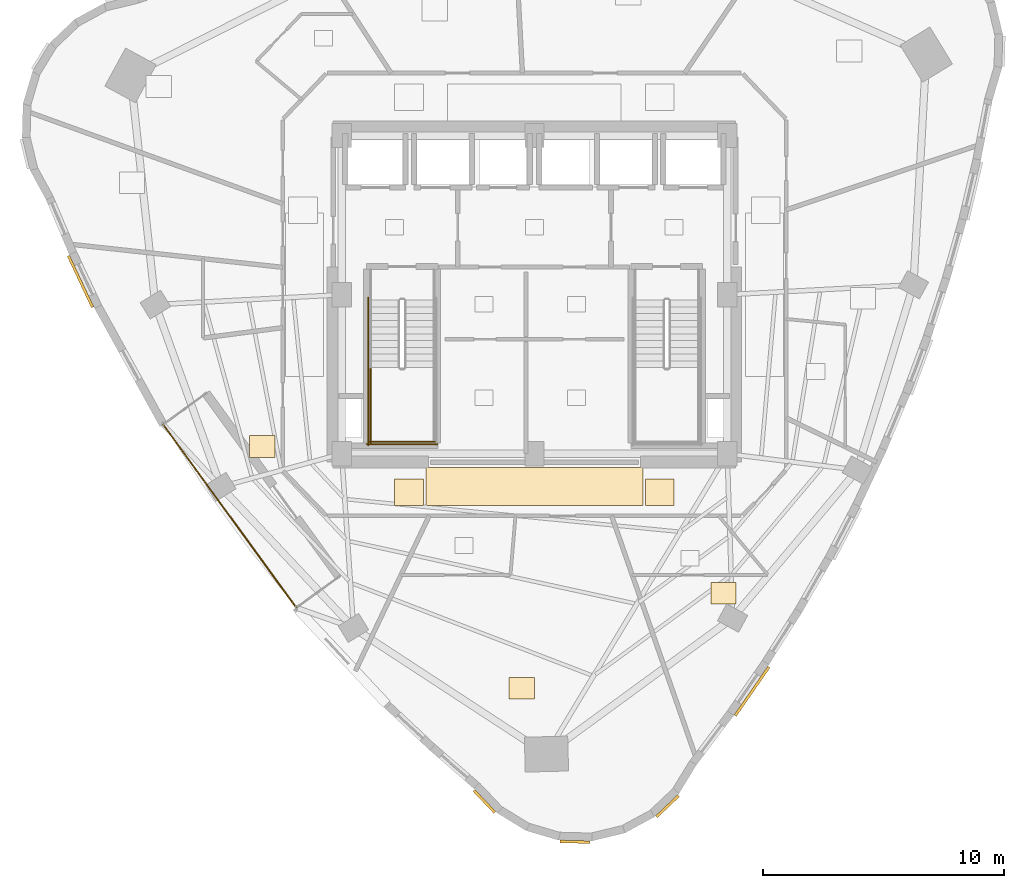
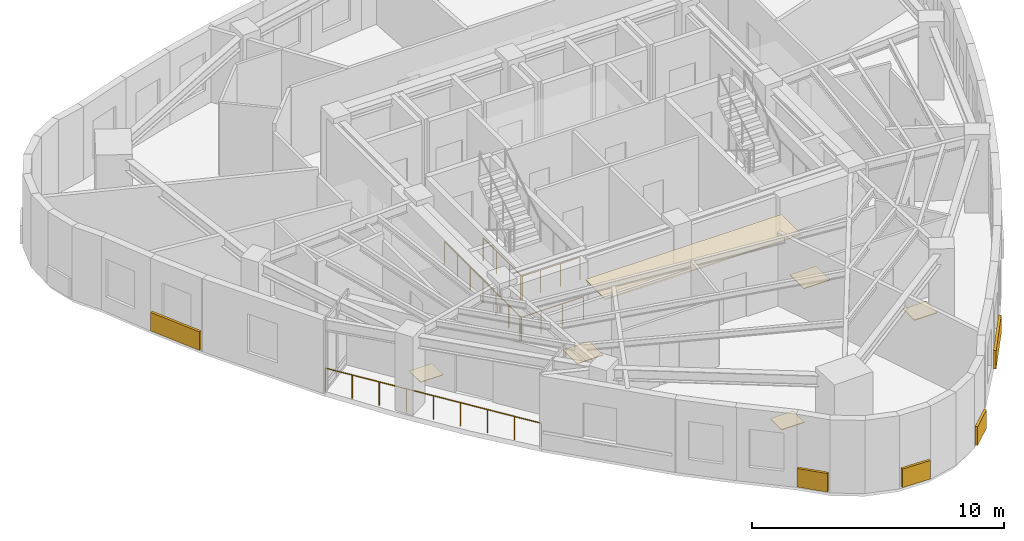
# One storey, part 10 of 12: 11 coverings, 5 railings.
"""IFC4 building model written with IfcOpenShell, lengths in metres."""

from ifc_helpers import new_model, si_unit, direction, frame, origin, origin_2d, place, context, subcontext, project, spatial, rectangle, circle, extrude, material, layer, layer_set, type_object, element, save


model = new_model("IFC4")

# Units and contexts
model_context = context("Model", 3, precision=1e-05, world=origin(), true_north=direction((0.0, 1.0)))
body_context = subcontext(model_context, "Body", "Model", "MODEL_VIEW")
ifc_project = project(units=[si_unit("LENGTHUNIT", "METRE"), si_unit("AREAUNIT", "SQUARE_METRE"), si_unit("VOLUMEUNIT", "CUBIC_METRE"), si_unit("PLANEANGLEUNIT", "RADIAN"), si_unit("MASSUNIT", "GRAM", prefix="KILO")], contexts=[model_context])

# Site, building, storey
site_placement = place(None, origin())
site = spatial("IfcSite", under=ifc_project, at=site_placement, CompositionType="ELEMENT")
building_placement = place(site_placement, origin())
building = spatial("IfcBuilding", under=site, at=building_placement, Name="Ndelora Gate Hotel", CompositionType="ELEMENT")
storey_placement = place(building_placement, frame((0.0, 0.0, 232.14990234375)))
storey = spatial("IfcBuildingStorey", under=building, at=storey_placement, Name="L58", CompositionType="ELEMENT", Elevation=232.14990234375)

# Coverings
ifc_material_1 = material(Name="Perforated Acoustic Gypsum Board", Category="gypsum")
ifc_layer_1 = layer(ifc_material_1, 0.054931640625)
ifc_layer_set_1 = layer_set([ifc_layer_1], Name="Perforated Acoustic Gypsum Board")
covering_type_1 = type_object("IfcCoveringType", Name="COV-CEIL-AC60", PredefinedType="CEILING", material=ifc_layer_set_1)
covering_1_placement = place(storey_placement, frame((0.0, -7.9599609375, 2.65283203125), z_axis=(0.0, 0.0, 1.0), x_axis=(1.0, 0.0, 0.0)))
element("IfcCovering", 1, at=covering_1_placement, inside=storey, type_object=covering_type_1, Name="L58 Guest Corridor Acoustic Ceiling S", PredefinedType="CEILING", context=body_context, shape_type="SweptSolid", body=[
    extrude(rectangle(XDim=9.0, YDim=1.580078125, at=origin_2d()), origin(), (0.0, 0.0, 1.0), 0.054931640625),
])
ifc_material_2 = material(Name="Terracotta Fired Clay Brick Slip Cladding", Category="masonry")
ifc_layer_2 = layer(ifc_material_2, 0.110107421875)
ifc_layer_set_2 = layer_set([ifc_layer_2], Name="Terracotta Fired Clay Brick Slip Cladding")
covering_type_2 = type_object("IfcCoveringType", Name="COV-CLAD-BRK", PredefinedType="CLADDING", material=ifc_layer_set_2)
covering_2_placement = place(storey_placement, frame((-18.83642578125, 0.544189453125, 0.10009765625), z_axis=(0.0, 0.0, 1.0), x_axis=(-0.425305466885, 0.90504986594, 0.0)))
element("IfcCovering", 2, at=covering_2_placement, inside=storey, type_object=covering_type_2, Name="L58 Rounded-Corner Brick Cladding Band 10", PredefinedType="CLADDING", context=body_context, shape_type="SweptSolid", body=[
    extrude(rectangle(XDim=2.35888671875, YDim=0.110107421875, at=origin_2d()), origin(), (0.0, 0.0, 1.0), 0.89990234375),
])
for number, where, z_axis, x_axis, name in (
    (3, (-2.076416015625, -21.031982421875, 0.10009765625), (0.0, 0.0, 1.0), (-0.688354575694, 0.725374371012, 0.0), "L58 Rounded-Corner Brick Cladding Band 19"),
    (4, (1.68115234375, -22.705078125, 0.10009765625), (0.0, 0.0, 1.0), (-0.999657324976, 0.026176948308, 0.0), "L58 Rounded-Corner Brick Cladding Band 22"),
    (5, (5.52099609375, -21.23095703125, 0.10009765625), (0.0, 0.0, 1.0), (0.725374371012, 0.688354575694, 0.0), "L58 Rounded-Corner Brick Cladding Band 25"),
):
    element("IfcCovering", number, at=place(storey_placement, frame(where, z_axis=z_axis, x_axis=x_axis)), inside=storey, type_object=covering_type_2, Name=name, PredefinedType="CLADDING", context=body_context, shape_type="SweptSolid", body=[
        extrude(rectangle(XDim=1.257080078125, YDim=0.110107421875, at=origin_2d()), origin(), (0.0, 0.0, 1.0), 0.89990234375),
    ])
covering_3_placement = place(storey_placement, frame((9.033935546875, -16.457763671875, 0.10009765625), z_axis=(0.0, 0.0, 1.0), x_axis=(0.569136023557, 0.822243386529, 0.0)))
element("IfcCovering", 6, at=covering_3_placement, inside=storey, type_object=covering_type_2, Name="L58 Rounded-Corner Brick Cladding Band 28", PredefinedType="CLADDING", context=body_context, shape_type="SweptSolid", body=[
    extrude(rectangle(XDim=2.4599609375, YDim=0.110107421875, at=origin_2d()), origin(), (0.0, 0.0, 1.0), 0.89990234375),
])
ifc_material_3 = material(Name="Engineered Highland Oak Parquet", Category="wood")
ifc_layer_3 = layer(ifc_material_3, 0.030029296875)
ifc_layer_set_3 = layer_set([ifc_layer_3], Name="Engineered Highland Oak Parquet")
covering_type_3 = type_object("IfcCoveringType", Name="COV-FLR-PARQ", PredefinedType="FLOORING", material=ifc_layer_set_3)
for number, where, z_axis, x_axis, name in (
    (7, (-11.2958984375, -6.302734375, 0.0), (0.0, 0.0, 1.0), (1.0, 0.0, 0.0), "L58 Sky Garden Tea Dining Room Oak Parquet Flooring"),
    (8, (-0.522216796875, -16.328369140625, 0.0), (0.0, 0.0, 1.0), (1.0, 0.0, 0.0), "L58 Highland Executive Two-Bay Suite 6101 Oak Parquet Flooring"),
    (9, (7.846435546875, -12.3916015625, 0.0), (0.0, 0.0, 1.0), (1.0, 0.0, 0.0), "L58 Corner Panoramic Executive Suite 6102 Oak Parquet Flooring"),
):
    element("IfcCovering", number, at=place(storey_placement, frame(where, z_axis=z_axis, x_axis=x_axis)), inside=storey, type_object=covering_type_3, Name=name, PredefinedType="FLOORING", context=body_context, shape_type="SweptSolid", body=[
        extrude(rectangle(XDim=1.050048828125, YDim=0.89990234375, at=origin_2d()), origin(), (0.0, 0.0, 1.0), 0.030029296875),
    ])
ifc_material_4 = material(Name="Polished Highland Stone Terrazzo", Category="masonry")
ifc_layer_4 = layer(ifc_material_4, 0.034912109375)
ifc_layer_set_4 = layer_set([ifc_layer_4], Name="Polished Highland Stone Terrazzo")
covering_type_4 = type_object("IfcCoveringType", Name="COV-FLR-TERZ", PredefinedType="FLOORING", material=ifc_layer_set_4)
for number, where, z_axis, x_axis, name in (
    (10, (-5.199951171875, -8.199951171875, 0.0), (0.0, 0.0, 1.0), (1.0, 0.0, 0.0), "L58 Corridor Threshold Terrazzo Inlay SW"),
    (11, (5.199951171875, -8.199951171875, 0.0), (0.0, 0.0, 1.0), (1.0, 0.0, 0.0), "L58 Corridor Threshold Terrazzo Inlay SE"),
):
    element("IfcCovering", number, at=place(storey_placement, frame(where, z_axis=z_axis, x_axis=x_axis)), inside=storey, type_object=covering_type_4, Name=name, PredefinedType="FLOORING", context=body_context, shape_type="SweptSolid", body=[
        extrude(rectangle(XDim=1.199951171875, YDim=1.10009765625, at=origin_2d()), origin(), (0.0, 0.0, 1.0), 0.034912109375),
    ])

# Railings
ifc_material_5 = material(Name="Laminated Safety Glass and Bronze Top Rail", Category="glass")
ifc_layer_5 = layer(ifc_material_5, 0.070068359375)
ifc_layer_set_5 = layer_set([ifc_layer_5], Name="Laminated Safety Glass and Bronze Top Rail")
railing_type_1 = type_object("IfcRailingType", Name="RL-BAL-1150", PredefinedType="BALUSTRADE", material=ifc_layer_set_5)
railing_1_placement = place(storey_placement, frame((-15.407470703125, -5.384521484375, 0.0)))
element("IfcRailing", 12, at=railing_1_placement, inside=storey, type_object=railing_type_1, Name="L58 Sky-Garden Loggia Terrace Balustrade", PredefinedType="BALUSTRADE", context=body_context, shape_type="SweptSolid", body=[
    extrude(circle(Radius=0.02392578125, at=origin_2d()), frame((0.0, 0.0, 1.1357421875), z_axis=(0.587771657404, -0.809026871465, 0.0), x_axis=(0.809026871465, 0.587771657404, 0.0)), (0.0, 0.0, 1.0), 9.400146484375),
    extrude(circle(Radius=0.02099609375, at=origin_2d()), origin(), (0.0, 0.0, 1.0), 1.11181640625),
    extrude(circle(Radius=0.02099609375, at=origin_2d()), frame((0.690673828125, -0.95068359375, 0.0)), (0.0, 0.0, 1.0), 1.11181640625),
    extrude(circle(Radius=0.02099609375, at=origin_2d()), frame((1.38134765625, -1.9013671875, 0.0)), (0.0, 0.0, 1.0), 1.11181640625),
    extrude(circle(Radius=0.02099609375, at=origin_2d()), frame((2.072021484375, -2.851806640625, 0.0)), (0.0, 0.0, 1.0), 1.11181640625),
    extrude(circle(Radius=0.02099609375, at=origin_2d()), frame((2.7626953125, -3.802490234375, 0.0)), (0.0, 0.0, 1.0), 1.11181640625),
    extrude(circle(Radius=0.02099609375, at=origin_2d()), frame((3.453125, -4.753173828125, 0.0)), (0.0, 0.0, 1.0), 1.11181640625),
    extrude(circle(Radius=0.02099609375, at=origin_2d()), frame((4.143798828125, -5.70361328125, 0.0)), (0.0, 0.0, 1.0), 1.11181640625),
    extrude(circle(Radius=0.02099609375, at=origin_2d()), frame((4.83447265625, -6.654296875, 0.0)), (0.0, 0.0, 1.0), 1.11181640625),
    extrude(circle(Radius=0.02099609375, at=origin_2d()), frame((5.525146484375, -7.60498046875, 0.0)), (0.0, 0.0, 1.0), 1.11181640625),
])
ifc_material_6 = material(Name="Painted Galvanized Steel Balustrade", Category="steel")
ifc_layer_6 = layer(ifc_material_6, 0.06005859375)
ifc_layer_set_6 = layer_set([ifc_layer_6], Name="Painted Galvanized Steel Balustrade")
railing_type_2 = type_object("IfcRailingType", Name="RL-STAIR-GD", PredefinedType="GUARDRAIL", material=ifc_layer_set_6)
railing_2_placement = place(storey_placement, frame((-6.800048828125, -3.030029296875, 1.900146484375)))
element("IfcRailing", 13, at=railing_2_placement, inside=storey, type_object=railing_type_2, Name="L58 ST4 stair guard 3", PredefinedType="GUARDRAIL", context=body_context, shape_type="SweptSolid", body=[
    extrude(circle(Radius=0.02392578125, at=origin_2d()), frame((0.0, 0.0, 1.10595703125), z_axis=(0.0, -1.0, 0.0), x_axis=(1.0, 0.0, 0.0)), (0.0, 0.0, 1.0), 3.119873046875),
    extrude(circle(Radius=0.02099609375, at=origin_2d()), origin(), (0.0, 0.0, 1.0), 1.081787109375),
    extrude(circle(Radius=0.02099609375, at=origin_2d()), frame((0.0, -1.0400390625, 0.0)), (0.0, 0.0, 1.0), 1.081787109375),
    extrude(circle(Radius=0.02099609375, at=origin_2d()), frame((0.0, -2.079833984375, 0.0)), (0.0, 0.0, 1.0), 1.081787109375),
    extrude(circle(Radius=0.02099609375, at=origin_2d()), frame((0.0, -3.119873046875, 0.0)), (0.0, 0.0, 1.0), 1.081787109375),
])
railing_3_placement = place(storey_placement, frame((-6.85009765625, -6.10009765625, 1.900146484375)))
element("IfcRailing", 14, at=railing_3_placement, inside=storey, type_object=railing_type_2, Name="L58 ST4 stair guard 5", PredefinedType="GUARDRAIL", context=body_context, shape_type="SweptSolid", body=[
    extrude(circle(Radius=0.02392578125, at=origin_2d()), frame((0.0, 0.0, 1.10595703125), z_axis=(1.0, 0.0, 0.0), x_axis=(0.0, 1.0, 0.0)), (0.0, 0.0, 1.0), 2.72021484375),
    extrude(circle(Radius=0.02099609375, at=origin_2d()), origin(), (0.0, 0.0, 1.0), 1.081787109375),
    extrude(circle(Radius=0.02099609375, at=origin_2d()), frame((0.90673828125, 0.0, 0.0)), (0.0, 0.0, 1.0), 1.081787109375),
    extrude(circle(Radius=0.02099609375, at=origin_2d()), frame((1.8134765625, 0.0, 0.0)), (0.0, 0.0, 1.0), 1.081787109375),
    extrude(circle(Radius=0.02099609375, at=origin_2d()), frame((2.72021484375, 0.0, 0.0)), (0.0, 0.0, 1.0), 1.081787109375),
])
railing_4_placement = place(storey_placement, frame((-6.89990234375, -0.1298828125, 0.0)))
element("IfcRailing", 15, at=railing_4_placement, inside=storey, type_object=railing_type_2, Name="L58 ST4 stair guard 10", PredefinedType="GUARDRAIL", context=body_context, shape_type="SweptSolid", body=[
    extrude(circle(Radius=0.02392578125, at=origin_2d()), frame((0.0, 0.0, 1.10595703125), z_axis=(0.0, -1.0, 0.0), x_axis=(1.0, 0.0, 0.0)), (0.0, 0.0, 1.0), 6.1201171875),
    extrude(circle(Radius=0.02099609375, at=origin_2d()), origin(), (0.0, 0.0, 1.0), 1.081787109375),
    extrude(circle(Radius=0.02099609375, at=origin_2d()), frame((0.0, -1.02001953125, 0.0)), (0.0, 0.0, 1.0), 1.081787109375),
    extrude(circle(Radius=0.02099609375, at=origin_2d()), frame((0.0, -2.0400390625, 0.0)), (0.0, 0.0, 1.0), 1.081787109375),
    extrude(circle(Radius=0.02099609375, at=origin_2d()), frame((0.0, -3.06005859375, 0.0)), (0.0, 0.0, 1.0), 1.081787109375),
    extrude(circle(Radius=0.02099609375, at=origin_2d()), frame((0.0, -4.080078125, 0.0)), (0.0, 0.0, 1.0), 1.081787109375),
    extrude(circle(Radius=0.02099609375, at=origin_2d()), frame((0.0, -5.10009765625, 0.0)), (0.0, 0.0, 1.0), 1.081787109375),
    extrude(circle(Radius=0.02099609375, at=origin_2d()), frame((0.0, -6.1201171875, 0.0)), (0.0, 0.0, 1.0), 1.081787109375),
])
railing_5_placement = place(storey_placement, frame((-6.949951171875, -6.199951171875, 0.0)))
element("IfcRailing", 16, at=railing_5_placement, inside=storey, type_object=railing_type_2, Name="L58 ST4 stair guard 12", PredefinedType="GUARDRAIL", context=body_context, shape_type="SweptSolid", body=[
    extrude(circle(Radius=0.02392578125, at=origin_2d()), frame((0.0, 0.0, 1.10595703125), z_axis=(1.0, 0.0, 0.0), x_axis=(0.0, 1.0, 0.0)), (0.0, 0.0, 1.0), 2.919921875),
    extrude(circle(Radius=0.02099609375, at=origin_2d()), origin(), (0.0, 0.0, 1.0), 1.081787109375),
    extrude(circle(Radius=0.02099609375, at=origin_2d()), frame((0.973388671875, 0.0, 0.0)), (0.0, 0.0, 1.0), 1.081787109375),
    extrude(circle(Radius=0.02099609375, at=origin_2d()), frame((1.946533203125, 0.0, 0.0)), (0.0, 0.0, 1.0), 1.081787109375),
    extrude(circle(Radius=0.02099609375, at=origin_2d()), frame((2.919921875, 0.0, 0.0)), (0.0, 0.0, 1.0), 1.081787109375),
])

save(model, "model.ifc")
